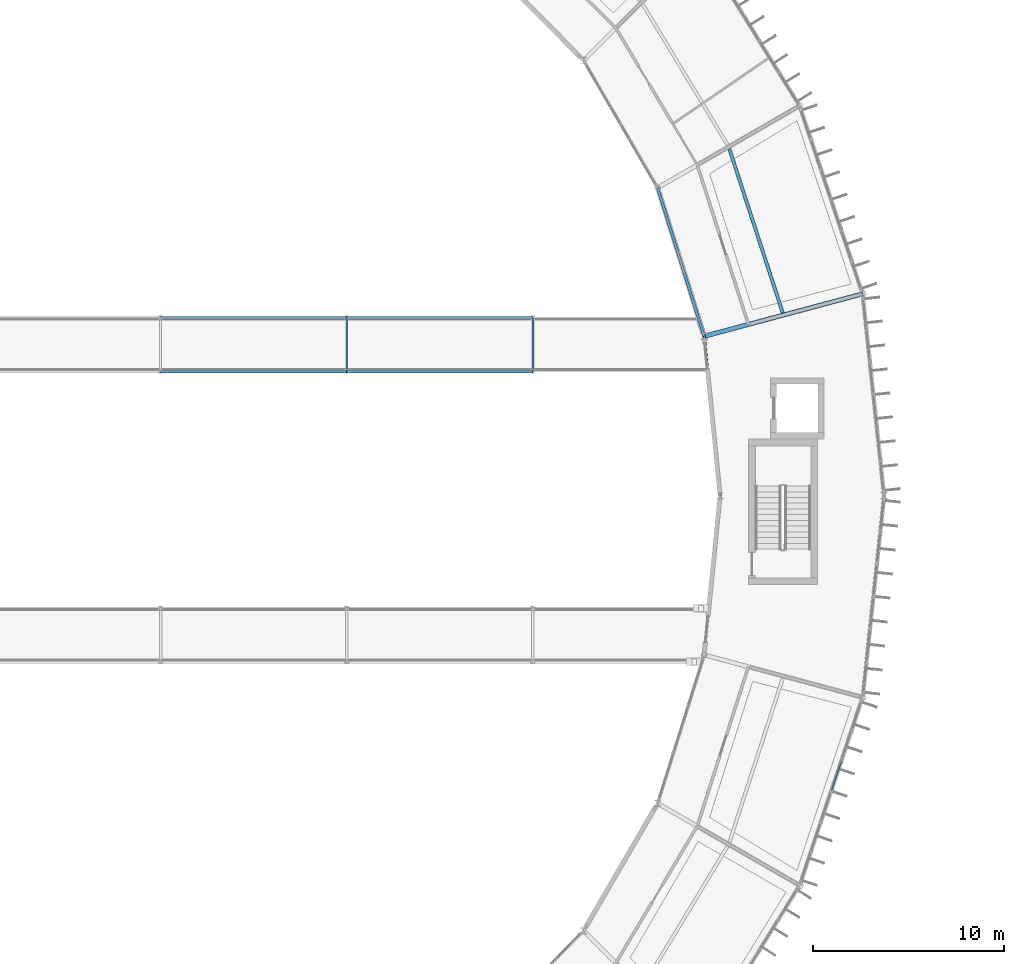
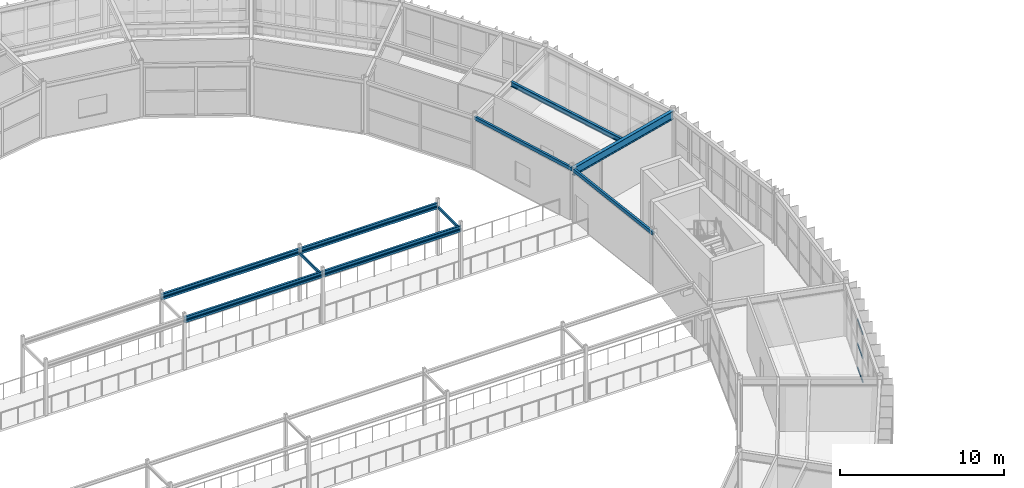
# One storey, part 64 of 148: 9 members, 8 beams, 1 element without a shape of its own.
"""IFC4 building model written with IfcOpenShell, lengths in metres."""

import ifcopenshell
import ifcopenshell.guid

model = None  # the IFC model being written
_history = None  # IfcOwnerHistory: only IFC2X3 demands one
_inside = {}  # id of a spatial element -> (the spatial element, [elements in it])
_under = {}  # id of a project, library or spatial element -> (it, [spatial elements below it])
_declared = {}  # id of a project -> (the project, [libraries it declares])
_typed = {}  # id of a type object -> (the type object, [elements of that type])
_made_of = {}  # id of a material, layer set ... -> (it, [elements and type objects made of it])


def new_model(schema):
    """Start an empty IFC model of exactly this schema.

    Asked for "IFC4X3", IfcOpenShell would pick the latest addendum, in which some entities
    have other attributes; the version numbers below select the first issue.
    IFC2X3 requires an IfcOwnerHistory on every rooted entity: one is made here for all.
    """
    global model, _history
    if schema == "IFC4X3":
        model = ifcopenshell.file(schema_version=(4, 3, 0, 0))
    else:
        model = ifcopenshell.file(schema=schema)
    _inside.clear()
    _under.clear()
    _declared.clear()
    _typed.clear()
    _made_of.clear()
    _history = None
    if model.schema == "IFC2X3":
        org = make("IfcOrganization", Name="unknown")
        user = make(
            "IfcPersonAndOrganization",
            ThePerson=make("IfcPerson", FamilyName="unknown"),
            TheOrganization=org,
        )
        app = make(
            "IfcApplication",
            ApplicationDeveloper=org,
            Version="unknown",
            ApplicationFullName="unknown",
            ApplicationIdentifier="unknown",
        )
        _history = make(
            "IfcOwnerHistory",
            OwningUser=user,
            OwningApplication=app,
            ChangeAction="ADDED",
            CreationDate=0,
        )
    return model


def make(cls, **values):
    """One entity of the class cls with the attributes given. An attribute that is None is left unset."""
    return model.create_entity(
        cls, **{name: value for name, value in values.items() if value is not None}
    )


def rooted(cls, **values):
    """An entity with a GlobalId (a new one), such as an element, a storey or a relation."""
    return make(cls, GlobalId=ifcopenshell.guid.new(), OwnerHistory=_history, **values)


def si_unit(unit_type, name, prefix=None):
    """IfcSIUnit, for example si_unit("LENGTHUNIT", "METRE", prefix="MILLI")."""
    return make("IfcSIUnit", UnitType=unit_type, Prefix=prefix, Name=name)


def assignment(units):
    """IfcUnitAssignment: the units of a project."""
    return None if units is None else make("IfcUnitAssignment", Units=units)


def point(xyz):
    """IfcCartesianPoint."""
    return None if xyz is None else make("IfcCartesianPoint", Coordinates=xyz)


def direction(xyz):
    """IfcDirection."""
    return None if xyz is None else make("IfcDirection", DirectionRatios=xyz)


def frame(location, z_axis=None, x_axis=None):
    """IfcAxis2Placement3D, a coordinate frame: its origin and axes. An axis left out is left unset."""
    return make(
        "IfcAxis2Placement3D",
        Location=point(location),
        Axis=direction(z_axis),
        RefDirection=direction(x_axis),
    )


def frame_2d(location, x_axis=None):
    """IfcAxis2Placement2D, a coordinate frame in the plane: its origin and x axis."""
    return make(
        "IfcAxis2Placement2D", Location=point(location), RefDirection=direction(x_axis)
    )


def origin():
    """The frame at (0, 0, 0) with its axes left unset."""
    return frame((0.0, 0.0, 0.0))


def origin_2d():
    """The frame at (0, 0) in the plane with its x axis left unset."""
    return frame_2d((0.0, 0.0))


def place(relative_to, where):
    """IfcLocalPlacement: puts the frame where relative to a parent placement (None: the world)."""
    return make(
        "IfcLocalPlacement", PlacementRelTo=relative_to, RelativePlacement=where
    )


def context(
    kind, dimensions, precision=None, world=None, true_north=None, identifier=None
):
    """IfcGeometricRepresentationContext, for example the 3D "Model" context."""
    return make(
        "IfcGeometricRepresentationContext",
        ContextIdentifier=identifier,
        ContextType=kind,
        CoordinateSpaceDimension=dimensions,
        Precision=precision,
        WorldCoordinateSystem=world,
        TrueNorth=true_north,
    )


def subcontext(parent, identifier, kind, view, scale=None):
    """IfcGeometricRepresentationSubContext, for example "Body" below "Model"."""
    return make(
        "IfcGeometricRepresentationSubContext",
        ContextIdentifier=identifier,
        ContextType=kind,
        ParentContext=parent,
        TargetScale=scale,
        TargetView=view,
    )


def project(units=None, contexts=None):
    """IfcProject with its units and contexts."""
    return rooted(
        "IfcProject",
        Name="project",
        RepresentationContexts=contexts,
        UnitsInContext=assignment(units),
    )


def spatial(cls, under=None, at=None, **own):
    """A site, building, storey or space (cls), placed at a placement, below another one or the project."""
    s = rooted(cls, ObjectPlacement=at, **own)
    if under is not None:
        _under.setdefault(under.id(), (under, []))[1].append(s)
    return s


def profile(cls, at=None, kind="AREA", **sizes):
    """A parametric profile (cls). Its sizes go by their IFC names, for example OverallWidth=200.0."""
    return make(cls, ProfileType=kind, Position=at, **sizes)


def hollow_rectangle(**sizes):
    """IfcRectangleHollowProfileDef."""
    return profile("IfcRectangleHollowProfileDef", **sizes)


def i_section(**sizes):
    """IfcIShapeProfileDef."""
    return profile("IfcIShapeProfileDef", **sizes)


def extrude(swept, where, along, depth):
    """IfcExtrudedAreaSolid: the profile swept, set in the frame where, extruded along a direction by depth."""
    return make(
        "IfcExtrudedAreaSolid",
        SweptArea=swept,
        Position=where,
        ExtrudedDirection=direction(along),
        Depth=depth,
    )


def shape(context_of_items, identifier, shape_type, items):
    """IfcShapeRepresentation: the items that make up one representation, for example the "Body"."""
    return make(
        "IfcShapeRepresentation",
        ContextOfItems=context_of_items,
        RepresentationIdentifier=identifier,
        RepresentationType=shape_type,
        Items=items,
    )


def material(Name=None, Category=None):
    """IfcMaterial."""
    return make("IfcMaterial", Name=Name, Category=Category)


def material_profile(
    of_material, cross_section, Name=None, Category=None, Priority=None
):
    """IfcMaterialProfile: a cross section and its material."""
    return make(
        "IfcMaterialProfile",
        Name=Name,
        Material=of_material,
        Profile=cross_section,
        Priority=Priority,
        Category=Category,
    )


def profile_set(profiles, Name=None, composite=None):
    """IfcMaterialProfileSet."""
    return make(
        "IfcMaterialProfileSet",
        Name=Name,
        MaterialProfiles=profiles,
        CompositeProfile=composite,
    )


def made_of(thing, what):
    """Note that an element or type object is made of a material, layer set ...; save() writes the relation."""
    if what is not None:
        _made_of.setdefault(what.id(), (what, []))[1].append(thing)
    return thing


def type_object(cls, material=None, **own):
    """A type object (cls), such as IfcWallType, which elements share."""
    return made_of(rooted(cls, **own), material)


def element(
    cls,
    number,
    at=None,
    inside=None,
    cuts=None,
    type_object=None,
    material=None,
    context=None,
    identifier="Body",
    shape_type=None,
    held_by="IfcProductDefinitionShape",
    body=None,
    shapes=None,
    **own,
):
    """One element of the class cls, such as IfcWall. Its Tag is "e" and its number.

    at: its placement. inside: the storey or other place that contains it. cuts: it is an
    opening in that element (IfcRelVoidsElement). A single representation is given by context,
    identifier, shape_type and body (its items); several are given by shapes. held_by: the class
    of the entity that holds the representations. save() writes the other relations.
    """
    e = rooted(cls, Tag="e%d" % number, ObjectPlacement=at, **own)
    if body is not None:
        shapes = [shape(context, identifier, shape_type, body)]
    if shapes is not None:
        e.Representation = make(held_by, Representations=shapes)
    if inside is not None:
        _inside.setdefault(inside.id(), (inside, []))[1].append(e)
    if cuts is not None:
        rooted(
            "IfcRelVoidsElement", RelatingBuildingElement=cuts, RelatedOpeningElement=e
        )
    if type_object is not None:
        _typed.setdefault(type_object.id(), (type_object, []))[1].append(e)
    return made_of(e, material)


def aggregate(whole, parts):
    """IfcRelAggregates: a whole, such as a stair, and the parts it consists of."""
    return rooted("IfcRelAggregates", RelatingObject=whole, RelatedObjects=parts)


def save(model, path):
    """Write the relations noted so far, then the file.

    IfcRelAggregates (storeys below a building ...), IfcRelContainedInSpatialStructure (elements
    in a storey), IfcRelDefinesByType, IfcRelAssociatesMaterial and IfcRelDeclares: one each for
    every whole, place, type object, material and project.
    """
    for whole, parts in _under.values():
        aggregate(whole, parts)
    for where, things in _inside.values():
        rooted(
            "IfcRelContainedInSpatialStructure",
            RelatedElements=things,
            RelatingStructure=where,
        )
    for kind, things in _typed.values():
        rooted("IfcRelDefinesByType", RelatedObjects=things, RelatingType=kind)
    for what, things in _made_of.values():
        rooted("IfcRelAssociatesMaterial", RelatedObjects=things, RelatingMaterial=what)
    for by, libraries in _declared.values():
        rooted("IfcRelDeclares", RelatingContext=by, RelatedDefinitions=libraries)
    model.write(path)


model = new_model("IFC4")

# Units and contexts
model_context = context("Model", 3, precision=1e-05, world=origin(), true_north=direction((0.0, 1.0)))
body_context = subcontext(model_context, "Body", "Model", "MODEL_VIEW")
ifc_project = project(units=[si_unit("LENGTHUNIT", "METRE"), si_unit("AREAUNIT", "SQUARE_METRE"), si_unit("VOLUMEUNIT", "CUBIC_METRE"), si_unit("PLANEANGLEUNIT", "RADIAN"), si_unit("MASSUNIT", "GRAM", prefix="KILO")], contexts=[model_context])

# Site, building, storey
site_placement = place(None, origin())
site = spatial("IfcSite", under=ifc_project, at=site_placement, CompositionType="ELEMENT")
building_placement = place(site_placement, origin())
building = spatial("IfcBuilding", under=site, at=building_placement, Name="Karori Crest Natural Sciences Institute", CompositionType="ELEMENT")
storey_placement = place(building_placement, frame((0.0, 0.0, 4.89990234375)))
storey = spatial("IfcBuildingStorey", under=building, at=storey_placement, Name="L01", CompositionType="ELEMENT", Elevation=4.89990234375)

# Beams
ifc_material_1 = material(Name="Structural steel AS/NZS 3679.1 Grade 350", Category="steel")
ifc_material_profile_1 = material_profile(ifc_material_1, i_section(OverallWidth=0.14599609375, OverallDepth=0.251953125, WebThickness=0.006103515625, FlangeThickness=0.008544921875, FilletRadius=0.009033203125, at=origin_2d()), Name="250UB31.4")
ifc_profile_set_1 = profile_set([ifc_material_profile_1], Name="Structural steel AS/NZS 3679.1 Grade 350")
beam_type_1 = type_object("IfcBeamType", Name="BT-12", PredefinedType="BEAM", material=ifc_profile_set_1)
for number, where, z_axis, x_axis, name in (
    (1, (61.530029296875, 56.39990234375, 3.760009765625), (1.0, 0.0, 0.0), (0.0, 1.0, 0.0), "Beam B-0754"),
    (2, (61.530029296875, 59.199951171875, 3.760009765625), (1.0, 0.0, 0.0), (0.0, 1.0, 0.0), "Beam B-0755"),
    (3, (71.27001953125, 56.39990234375, 3.760009765625), (1.0, 0.0, 0.0), (0.0, 1.0, 0.0), "Beam B-0756"),
    (4, (71.27001953125, 59.199951171875, 3.760009765625), (1.0, 0.0, 0.0), (0.0, 1.0, 0.0), "Beam B-0757"),
):
    element("IfcBeam", number, at=place(storey_placement, frame(where, z_axis=z_axis, x_axis=x_axis)), inside=storey, type_object=beam_type_1, Name=name, PredefinedType="BEAM", context=body_context, shape_type="SweptSolid", body=[
        extrude(i_section(OverallWidth=0.14599609375, OverallDepth=0.251953125, WebThickness=0.006103515625, FlangeThickness=0.008544921875, FilletRadius=0.009033203125, at=origin_2d()), origin(), (0.0, 0.0, 1.0), 9.739990234375),
    ])
ifc_material_2 = material(Name="Hollow structural steel AS/NZS 1163 Grade C350", Category="steel")
ifc_material_profile_2 = material_profile(ifc_material_2, hollow_rectangle(XDim=0.14990234375, YDim=0.25, WallThickness=0.009033203125, at=origin_2d()), Name="RHS250x150x9")
ifc_profile_set_2 = profile_set([ifc_material_profile_2], Name="Hollow structural steel AS/NZS 1163 Grade C350")
beam_type_2 = type_object("IfcBeamType", Name="BT-16", PredefinedType="SPANDREL", material=ifc_profile_set_2)
beam_1_placement = place(storey_placement, frame((90.800048828125, 49.89990234375, 3.7900390625), z_axis=(-0.099284371237, 0.99505910057, 0.0), x_axis=(-0.99505910057, -0.099284371237, 0.0)))
element("IfcBeam", 5, at=beam_1_placement, inside=storey, type_object=beam_type_2, Name="Beam B-0182", PredefinedType="SPANDREL", context=body_context, shape_type="SweptSolid", body=[
    extrude(hollow_rectangle(XDim=0.14990234375, YDim=0.25, WallThickness=0.009033203125, at=origin_2d()), origin(), (0.0, 0.0, 1.0), 8.37548828125),
])
beam_2_placement = place(storey_placement, frame((89.968505859375, 58.23388671875, 3.7900390625), z_axis=(-0.299460006143, 0.954108853706, 0.0), x_axis=(-0.954108853706, -0.299460006143, 0.0)))
element("IfcBeam", 6, at=beam_2_placement, inside=storey, type_object=beam_type_2, Name="Beam B-0184", PredefinedType="SPANDREL", context=body_context, shape_type="SweptSolid", body=[
    extrude(hollow_rectangle(XDim=0.14990234375, YDim=0.25, WallThickness=0.009033203125, at=origin_2d()), origin(), (0.0, 0.0, 1.0), 8.1396484375),
])
ifc_material_profile_3 = material_profile(ifc_material_1, i_section(OverallWidth=0.22802734375, OverallDepth=0.60205078125, WebThickness=0.010498046875, FlangeThickness=0.014892578125, FilletRadius=0.013916015625, at=origin_2d()), Name="610UB101")
ifc_profile_set_3 = profile_set([ifc_material_profile_3], Name="Structural steel AS/NZS 3679.1 Grade 350")
beam_type_3 = type_object("IfcBeamType", Name="BT-27", PredefinedType="BEAM", material=ifc_profile_set_3)
beam_3_placement = place(storey_placement, frame((89.968505859375, 58.23388671875, 3.63916015625), z_axis=(0.96592752402, 0.258812709002, 0.0), x_axis=(-0.258812709002, 0.96592752402, 0.0)))
element("IfcBeam", 7, at=beam_3_placement, inside=storey, type_object=beam_type_3, Name="Beam B-0185", PredefinedType="BEAM", context=body_context, shape_type="SweptSolid", body=[
    extrude(i_section(OverallWidth=0.22802734375, OverallDepth=0.60205078125, WebThickness=0.010498046875, FlangeThickness=0.014892578125, FilletRadius=0.013916015625, at=origin_2d()), origin(), (0.0, 0.0, 1.0), 8.60009765625),
])
ifc_material_profile_4 = material_profile(ifc_material_1, i_section(OverallWidth=0.1708984375, OverallDepth=0.35595703125, WebThickness=0.00732421875, FlangeThickness=0.011474609375, FilletRadius=0.010986328125, at=origin_2d()), Name="360UB50.7")
ifc_profile_set_4 = profile_set([ifc_material_profile_4], Name="Structural steel AS/NZS 3679.1 Grade 350")
beam_type_4 = type_object("IfcBeamType", Name="BT-30", PredefinedType="BEAM", material=ifc_profile_set_4)
beam_4_placement = place(storey_placement, frame((94.0849609375, 59.4609375, 3.76220703125), z_axis=(-0.309698753032, 0.950834729262, 0.0), x_axis=(-0.950834729262, -0.309698753032, 0.0)))
element("IfcBeam", 8, at=beam_4_placement, inside=storey, type_object=beam_type_4, Name="Beam B-0186", PredefinedType="BEAM", context=body_context, shape_type="SweptSolid", body=[
    extrude(i_section(OverallWidth=0.1708984375, OverallDepth=0.35595703125, WebThickness=0.00732421875, FlangeThickness=0.011474609375, FilletRadius=0.010986328125, at=origin_2d()), origin(), (0.0, 0.0, 1.0), 9.018310546875),
])

# Curtain wall, members
ifc_material_3 = material(Name="Anodised architectural aluminium 6063-T6", Category="aluminium")
curtain_wall_type = type_object("IfcCurtainWallType", Name="CWT-03", PredefinedType="NOTDEFINED", material=ifc_material_3)
curtain_wall_placement = place(storey_placement, origin())
curtain_wall = element("IfcCurtainWall", 9, at=curtain_wall_placement, inside=storey, type_object=curtain_wall_type, Name="Curtain wall CW-0062", PredefinedType="NOTDEFINED")
ifc_material_profile_5 = material_profile(ifc_material_3, hollow_rectangle(XDim=0.06494140625, YDim=0.14990234375, WallThickness=0.00390625, at=origin_2d()), Name="CWT150x65x4")
ifc_profile_set_5 = profile_set([ifc_material_profile_5], Name="Anodised architectural aluminium 6063-T6")
member_type_1 = type_object("IfcMemberType", Name="CWT-TR2", PredefinedType="USERDEFINED", material=ifc_profile_set_5)
member_1_placement = place(storey_placement, frame((97.1494140625, 35.97900390625, 0.03271484375), z_axis=(-0.317647663217, -0.948208817747, 0.0), x_axis=(0.948208817747, -0.317647663217, 0.0)))
member_1 = element("IfcMember", 10, at=member_1_placement, type_object=member_type_1, Name="CW-0062 transom 3.1", ObjectType="TRANSOM", PredefinedType="USERDEFINED", context=body_context, shape_type="SweptSolid", body=[
    extrude(hollow_rectangle(XDim=0.06494140625, YDim=0.14990234375, WallThickness=0.00390625, at=origin_2d()), origin(), (0.0, 0.0, 1.0), 1.5986328125),
])
member_2_placement = place(storey_placement, frame((97.1494140625, 35.97900390625, 1.8125), z_axis=(-0.317647663217, -0.948208817747, 0.0), x_axis=(0.948208817747, -0.317647663217, 0.0)))
member_2 = element("IfcMember", 11, at=member_2_placement, type_object=member_type_1, Name="CW-0062 transom 3.2", ObjectType="TRANSOM", PredefinedType="USERDEFINED", context=body_context, shape_type="SweptSolid", body=[
    extrude(hollow_rectangle(XDim=0.06494140625, YDim=0.14990234375, WallThickness=0.00390625, at=origin_2d()), origin(), (0.0, 0.0, 1.0), 1.5986328125),
])
member_3_placement = place(storey_placement, frame((97.1494140625, 35.97900390625, 3.592529296875), z_axis=(-0.317647663217, -0.948208817747, 0.0), x_axis=(0.948208817747, -0.317647663217, 0.0)))
member_3 = element("IfcMember", 12, at=member_3_placement, type_object=member_type_1, Name="CW-0062 transom 3.3", ObjectType="TRANSOM", PredefinedType="USERDEFINED", context=body_context, shape_type="SweptSolid", body=[
    extrude(hollow_rectangle(XDim=0.06494140625, YDim=0.14990234375, WallThickness=0.00390625, at=origin_2d()), origin(), (0.0, 0.0, 1.0), 1.5986328125),
])
aggregate(curtain_wall, [member_1, member_2, member_3])

# Members
ifc_material_profile_6 = material_profile(ifc_material_2, hollow_rectangle(XDim=0.14990234375, YDim=0.14990234375, WallThickness=0.009033203125, at=origin_2d()), Name="SHS150x150x9")
ifc_profile_set_6 = profile_set([ifc_material_profile_6], Name="Hollow structural steel AS/NZS 1163 Grade C350")
member_type_2 = type_object("IfcMemberType", Name="MT-13", PredefinedType="CHORD", material=ifc_profile_set_6)
for number, where, z_axis, x_axis, name in (
    (13, (61.530029296875, 56.39990234375, 3.52001953125), (1.0, 0.0, 0.0), (0.0, 1.0, 0.0), "Member M-0233"),
    (14, (61.530029296875, 59.199951171875, 3.52001953125), (1.0, 0.0, 0.0), (0.0, 1.0, 0.0), "Member M-0234"),
    (15, (71.27001953125, 56.39990234375, 3.52001953125), (1.0, 0.0, 0.0), (0.0, 1.0, 0.0), "Member M-0235"),
    (16, (71.27001953125, 59.199951171875, 3.52001953125), (1.0, 0.0, 0.0), (0.0, 1.0, 0.0), "Member M-0236"),
):
    element("IfcMember", number, at=place(storey_placement, frame(where, z_axis=z_axis, x_axis=x_axis)), inside=storey, type_object=member_type_2, Name=name, PredefinedType="CHORD", context=body_context, shape_type="SweptSolid", body=[
        extrude(hollow_rectangle(XDim=0.14990234375, YDim=0.14990234375, WallThickness=0.009033203125, at=origin_2d()), origin(), (0.0, 0.0, 1.0), 9.739990234375),
    ])
ifc_material_profile_7 = material_profile(ifc_material_2, hollow_rectangle(XDim=0.10009765625, YDim=0.199951171875, WallThickness=0.008056640625, at=origin_2d()), Name="RHS200x100x8")
ifc_profile_set_7 = profile_set([ifc_material_profile_7], Name="Hollow structural steel AS/NZS 1163 Grade C350")
member_type_3 = type_object("IfcMemberType", Name="MT-14", PredefinedType="CHORD", material=ifc_profile_set_7)
for number, where, z_axis, x_axis, name in (
    (17, (71.27001953125, 56.39990234375, 3.52001953125), (0.0, 1.0, 0.0), (-1.0, 0.0, 0.0), "Member M-0239"),
    (18, (81.010009765625, 56.39990234375, 3.52001953125), (0.0, 1.0, 0.0), (-1.0, 0.0, 0.0), "Member M-0240"),
):
    element("IfcMember", number, at=place(storey_placement, frame(where, z_axis=z_axis, x_axis=x_axis)), inside=storey, type_object=member_type_3, Name=name, PredefinedType="CHORD", context=body_context, shape_type="SweptSolid", body=[
        extrude(hollow_rectangle(XDim=0.10009765625, YDim=0.199951171875, WallThickness=0.008056640625, at=origin_2d()), origin(), (0.0, 0.0, 1.0), 2.800048828125),
    ])

save(model, "model.ifc")
